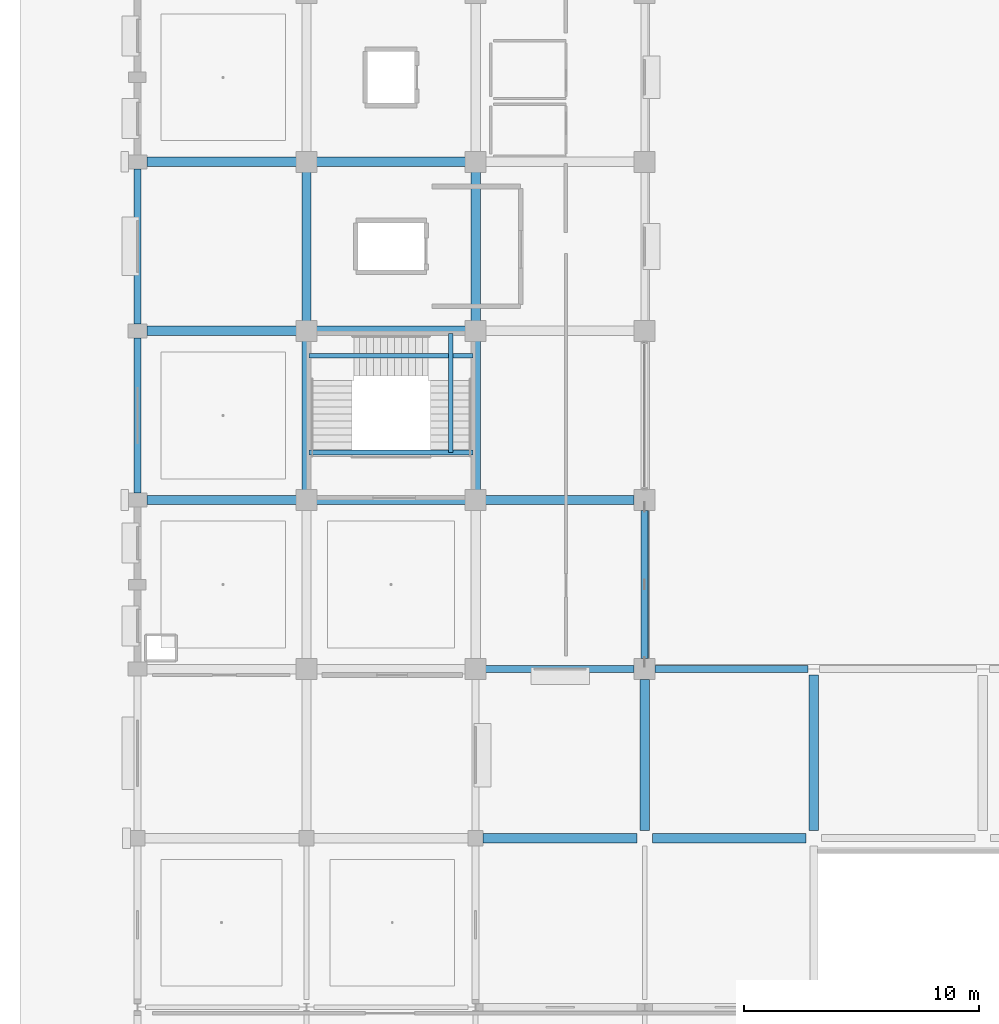
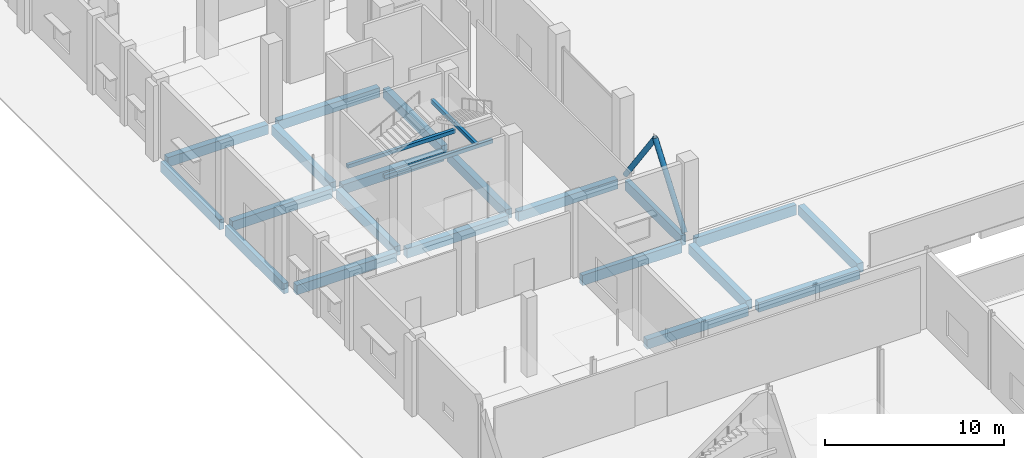
# One storey, part 10 of 90: 23 beams, 2 members.
"""IFC4 building model written with IfcOpenShell, lengths in metres."""

import ifcopenshell
import ifcopenshell.guid

model = None  # the IFC model being written
_history = None  # IfcOwnerHistory: only IFC2X3 demands one
_inside = {}  # id of a spatial element -> (the spatial element, [elements in it])
_under = {}  # id of a project, library or spatial element -> (it, [spatial elements below it])
_declared = {}  # id of a project -> (the project, [libraries it declares])
_typed = {}  # id of a type object -> (the type object, [elements of that type])
_made_of = {}  # id of a material, layer set ... -> (it, [elements and type objects made of it])


def new_model(schema):
    """Start an empty IFC model of exactly this schema.

    Asked for "IFC4X3", IfcOpenShell would pick the latest addendum, in which some entities
    have other attributes; the version numbers below select the first issue.
    IFC2X3 requires an IfcOwnerHistory on every rooted entity: one is made here for all.
    """
    global model, _history
    if schema == "IFC4X3":
        model = ifcopenshell.file(schema_version=(4, 3, 0, 0))
    else:
        model = ifcopenshell.file(schema=schema)
    _inside.clear()
    _under.clear()
    _declared.clear()
    _typed.clear()
    _made_of.clear()
    _history = None
    if model.schema == "IFC2X3":
        org = make("IfcOrganization", Name="unknown")
        user = make(
            "IfcPersonAndOrganization",
            ThePerson=make("IfcPerson", FamilyName="unknown"),
            TheOrganization=org,
        )
        app = make(
            "IfcApplication",
            ApplicationDeveloper=org,
            Version="unknown",
            ApplicationFullName="unknown",
            ApplicationIdentifier="unknown",
        )
        _history = make(
            "IfcOwnerHistory",
            OwningUser=user,
            OwningApplication=app,
            ChangeAction="ADDED",
            CreationDate=0,
        )
    return model


def make(cls, **values):
    """One entity of the class cls with the attributes given. An attribute that is None is left unset."""
    return model.create_entity(
        cls, **{name: value for name, value in values.items() if value is not None}
    )


def rooted(cls, **values):
    """An entity with a GlobalId (a new one), such as an element, a storey or a relation."""
    return make(cls, GlobalId=ifcopenshell.guid.new(), OwnerHistory=_history, **values)


def si_unit(unit_type, name, prefix=None):
    """IfcSIUnit, for example si_unit("LENGTHUNIT", "METRE", prefix="MILLI")."""
    return make("IfcSIUnit", UnitType=unit_type, Prefix=prefix, Name=name)


def assignment(units):
    """IfcUnitAssignment: the units of a project."""
    return None if units is None else make("IfcUnitAssignment", Units=units)


def point(xyz):
    """IfcCartesianPoint."""
    return None if xyz is None else make("IfcCartesianPoint", Coordinates=xyz)


def direction(xyz):
    """IfcDirection."""
    return None if xyz is None else make("IfcDirection", DirectionRatios=xyz)


def frame(location, z_axis=None, x_axis=None):
    """IfcAxis2Placement3D, a coordinate frame: its origin and axes. An axis left out is left unset."""
    return make(
        "IfcAxis2Placement3D",
        Location=point(location),
        Axis=direction(z_axis),
        RefDirection=direction(x_axis),
    )


def frame_2d(location, x_axis=None):
    """IfcAxis2Placement2D, a coordinate frame in the plane: its origin and x axis."""
    return make(
        "IfcAxis2Placement2D", Location=point(location), RefDirection=direction(x_axis)
    )


def origin():
    """The frame at (0, 0, 0) with its axes left unset."""
    return frame((0.0, 0.0, 0.0))


def origin_2d():
    """The frame at (0, 0) in the plane with its x axis left unset."""
    return frame_2d((0.0, 0.0))


def place(relative_to, where):
    """IfcLocalPlacement: puts the frame where relative to a parent placement (None: the world)."""
    return make(
        "IfcLocalPlacement", PlacementRelTo=relative_to, RelativePlacement=where
    )


def context(
    kind, dimensions, precision=None, world=None, true_north=None, identifier=None
):
    """IfcGeometricRepresentationContext, for example the 3D "Model" context."""
    return make(
        "IfcGeometricRepresentationContext",
        ContextIdentifier=identifier,
        ContextType=kind,
        CoordinateSpaceDimension=dimensions,
        Precision=precision,
        WorldCoordinateSystem=world,
        TrueNorth=true_north,
    )


def subcontext(parent, identifier, kind, view, scale=None):
    """IfcGeometricRepresentationSubContext, for example "Body" below "Model"."""
    return make(
        "IfcGeometricRepresentationSubContext",
        ContextIdentifier=identifier,
        ContextType=kind,
        ParentContext=parent,
        TargetScale=scale,
        TargetView=view,
    )


def project(units=None, contexts=None):
    """IfcProject with its units and contexts."""
    return rooted(
        "IfcProject",
        Name="project",
        RepresentationContexts=contexts,
        UnitsInContext=assignment(units),
    )


def spatial(cls, under=None, at=None, **own):
    """A site, building, storey or space (cls), placed at a placement, below another one or the project."""
    s = rooted(cls, ObjectPlacement=at, **own)
    if under is not None:
        _under.setdefault(under.id(), (under, []))[1].append(s)
    return s


def profile(cls, at=None, kind="AREA", **sizes):
    """A parametric profile (cls). Its sizes go by their IFC names, for example OverallWidth=200.0."""
    return make(cls, ProfileType=kind, Position=at, **sizes)


def rectangle(**sizes):
    """IfcRectangleProfileDef."""
    return profile("IfcRectangleProfileDef", **sizes)


def hollow_circle(**sizes):
    """IfcCircleHollowProfileDef."""
    return profile("IfcCircleHollowProfileDef", **sizes)


def extrude(swept, where, along, depth):
    """IfcExtrudedAreaSolid: the profile swept, set in the frame where, extruded along a direction by depth."""
    return make(
        "IfcExtrudedAreaSolid",
        SweptArea=swept,
        Position=where,
        ExtrudedDirection=direction(along),
        Depth=depth,
    )


def shape(context_of_items, identifier, shape_type, items):
    """IfcShapeRepresentation: the items that make up one representation, for example the "Body"."""
    return make(
        "IfcShapeRepresentation",
        ContextOfItems=context_of_items,
        RepresentationIdentifier=identifier,
        RepresentationType=shape_type,
        Items=items,
    )


def material(Name=None, Category=None):
    """IfcMaterial."""
    return make("IfcMaterial", Name=Name, Category=Category)


def material_profile(
    of_material, cross_section, Name=None, Category=None, Priority=None
):
    """IfcMaterialProfile: a cross section and its material."""
    return make(
        "IfcMaterialProfile",
        Name=Name,
        Material=of_material,
        Profile=cross_section,
        Priority=Priority,
        Category=Category,
    )


def profile_set(profiles, Name=None, composite=None):
    """IfcMaterialProfileSet."""
    return make(
        "IfcMaterialProfileSet",
        Name=Name,
        MaterialProfiles=profiles,
        CompositeProfile=composite,
    )


def made_of(thing, what):
    """Note that an element or type object is made of a material, layer set ...; save() writes the relation."""
    if what is not None:
        _made_of.setdefault(what.id(), (what, []))[1].append(thing)
    return thing


def type_object(cls, material=None, **own):
    """A type object (cls), such as IfcWallType, which elements share."""
    return made_of(rooted(cls, **own), material)


def element(
    cls,
    number,
    at=None,
    inside=None,
    cuts=None,
    type_object=None,
    material=None,
    context=None,
    identifier="Body",
    shape_type=None,
    held_by="IfcProductDefinitionShape",
    body=None,
    shapes=None,
    **own,
):
    """One element of the class cls, such as IfcWall. Its Tag is "e" and its number.

    at: its placement. inside: the storey or other place that contains it. cuts: it is an
    opening in that element (IfcRelVoidsElement). A single representation is given by context,
    identifier, shape_type and body (its items); several are given by shapes. held_by: the class
    of the entity that holds the representations. save() writes the other relations.
    """
    e = rooted(cls, Tag="e%d" % number, ObjectPlacement=at, **own)
    if body is not None:
        shapes = [shape(context, identifier, shape_type, body)]
    if shapes is not None:
        e.Representation = make(held_by, Representations=shapes)
    if inside is not None:
        _inside.setdefault(inside.id(), (inside, []))[1].append(e)
    if cuts is not None:
        rooted(
            "IfcRelVoidsElement", RelatingBuildingElement=cuts, RelatedOpeningElement=e
        )
    if type_object is not None:
        _typed.setdefault(type_object.id(), (type_object, []))[1].append(e)
    return made_of(e, material)


def aggregate(whole, parts):
    """IfcRelAggregates: a whole, such as a stair, and the parts it consists of."""
    return rooted("IfcRelAggregates", RelatingObject=whole, RelatedObjects=parts)


def save(model, path):
    """Write the relations noted so far, then the file.

    IfcRelAggregates (storeys below a building ...), IfcRelContainedInSpatialStructure (elements
    in a storey), IfcRelDefinesByType, IfcRelAssociatesMaterial and IfcRelDeclares: one each for
    every whole, place, type object, material and project.
    """
    for whole, parts in _under.values():
        aggregate(whole, parts)
    for where, things in _inside.values():
        rooted(
            "IfcRelContainedInSpatialStructure",
            RelatedElements=things,
            RelatingStructure=where,
        )
    for kind, things in _typed.values():
        rooted("IfcRelDefinesByType", RelatedObjects=things, RelatingType=kind)
    for what, things in _made_of.values():
        rooted("IfcRelAssociatesMaterial", RelatedObjects=things, RelatingMaterial=what)
    for by, libraries in _declared.values():
        rooted("IfcRelDeclares", RelatingContext=by, RelatedDefinitions=libraries)
    model.write(path)


model = new_model("IFC4")

# Units and contexts
model_context = context("Model", 3, precision=1e-05, world=origin(), true_north=direction((0.0, 1.0)))
body_context = subcontext(model_context, "Body", "Model", "MODEL_VIEW")
ifc_project = project(units=[si_unit("LENGTHUNIT", "METRE"), si_unit("AREAUNIT", "SQUARE_METRE"), si_unit("VOLUMEUNIT", "CUBIC_METRE"), si_unit("PLANEANGLEUNIT", "RADIAN"), si_unit("MASSUNIT", "GRAM", prefix="KILO")], contexts=[model_context])

# Site, building, storey
site_placement = place(None, origin())
site = spatial("IfcSite", under=ifc_project, at=site_placement, CompositionType="ELEMENT")
building_placement = place(site_placement, origin())
building = spatial("IfcBuilding", under=site, at=building_placement, Name="Kangsadwip Square Police Headquarters", CompositionType="ELEMENT")
storey_placement = place(building_placement, origin())
storey = spatial("IfcBuildingStorey", under=building, at=storey_placement, Name="L00", CompositionType="ELEMENT", Elevation=0.0)

# Beams
ifc_material_1 = material(Name="Concrete M35 (35 MPa)", Category="concrete")
ifc_material_profile_1 = material_profile(ifc_material_1, rectangle(XDim=0.39990234375, YDim=0.64990234375, at=origin_2d()), Name="RC BM 650X400")
ifc_profile_set_1 = profile_set([ifc_material_profile_1], Name="Concrete M35 (35 MPa)")
beam_type_1 = type_object("IfcBeamType", Name="RcBeam650x400", PredefinedType="BEAM", material=ifc_profile_set_1)
beam_1_placement = place(storey_placement, frame((14.72509765625, 28.800048828125, -0.574951171875), z_axis=(1.0, 0.0, 0.0), x_axis=(0.0, 1.0, 0.0)))
element("IfcBeam", 1, at=beam_1_placement, inside=storey, type_object=beam_type_1, Name="Beam BM-L00-X-02-04", PredefinedType="BEAM", context=body_context, shape_type="SweptSolid", body=[
    extrude(rectangle(XDim=0.39990234375, YDim=0.64990234375, at=origin_2d()), origin(), (0.0, 0.0, 1.0), 6.5498046875),
])
beam_2_placement = place(storey_placement, frame((21.925048828125, 28.800048828125, -0.574951171875), z_axis=(1.0, 0.0, 0.0), x_axis=(0.0, 1.0, 0.0)))
element("IfcBeam", 2, at=beam_2_placement, inside=storey, type_object=beam_type_1, Name="Beam BM-L00-X-03-04", PredefinedType="BEAM", context=body_context, shape_type="SweptSolid", body=[
    extrude(rectangle(XDim=0.39990234375, YDim=0.64990234375, at=origin_2d()), origin(), (0.0, 0.0, 1.0), 6.550048828125),
])
beam_3_placement = place(storey_placement, frame((21.60009765625, 29.125, -0.574951171875), z_axis=(0.0, 1.0, 0.0), x_axis=(-1.0, 0.0, 0.0)))
element("IfcBeam", 3, at=beam_3_placement, inside=storey, type_object=beam_type_1, Name="Beam BM-L00-Y-03-04", PredefinedType="BEAM", context=body_context, shape_type="SweptSolid", body=[
    extrude(rectangle(XDim=0.39990234375, YDim=0.64990234375, at=origin_2d()), origin(), (0.0, 0.0, 1.0), 6.425048828125),
])
beam_4_placement = place(storey_placement, frame((28.800048828125, 29.125, -0.574951171875), z_axis=(0.0, 1.0, 0.0), x_axis=(-1.0, 0.0, 0.0)))
element("IfcBeam", 4, at=beam_4_placement, inside=storey, type_object=beam_type_1, Name="Beam BM-L00-Y-04-04", PredefinedType="BEAM", context=body_context, shape_type="SweptSolid", body=[
    extrude(rectangle(XDim=0.39990234375, YDim=0.64990234375, at=origin_2d()), origin(), (0.0, 0.0, 1.0), 6.625),
])
beam_5_placement = place(storey_placement, frame((0.39990234375, 43.199951171875, -0.574951171875), z_axis=(1.0, 0.0, 0.0), x_axis=(0.0, 1.0, 0.0)))
element("IfcBeam", 5, at=beam_5_placement, inside=storey, type_object=beam_type_1, Name="Beam BM-L00-X-00-06", PredefinedType="BEAM", context=body_context, shape_type="SweptSolid", body=[
    extrude(rectangle(XDim=0.39990234375, YDim=0.64990234375, at=origin_2d()), origin(), (0.0, 0.0, 1.0), 6.47509765625),
])
beam_6_placement = place(storey_placement, frame((7.52490234375, 43.199951171875, -0.574951171875), z_axis=(1.0, 0.0, 0.0), x_axis=(0.0, 1.0, 0.0)))
element("IfcBeam", 6, at=beam_6_placement, inside=storey, type_object=beam_type_1, Name="Beam BM-L00-X-01-06", PredefinedType="BEAM", context=body_context, shape_type="SweptSolid", body=[
    extrude(rectangle(XDim=0.39990234375, YDim=0.64990234375, at=origin_2d()), origin(), (0.0, 0.0, 1.0), 6.550048828125),
])
beam_7_placement = place(storey_placement, frame((14.72509765625, 43.199951171875, -0.574951171875), z_axis=(1.0, 0.0, 0.0), x_axis=(0.0, 1.0, 0.0)))
element("IfcBeam", 7, at=beam_7_placement, inside=storey, type_object=beam_type_1, Name="Beam BM-L00-X-02-06", PredefinedType="BEAM", context=body_context, shape_type="SweptSolid", body=[
    extrude(rectangle(XDim=0.39990234375, YDim=0.64990234375, at=origin_2d()), origin(), (0.0, 0.0, 1.0), 6.4248046875),
])
beam_8_placement = place(storey_placement, frame((0.39990234375, 50.39990234375, -0.574951171875), z_axis=(1.0, 0.0, 0.0), x_axis=(0.0, 1.0, 0.0)))
element("IfcBeam", 8, at=beam_8_placement, inside=storey, type_object=beam_type_1, Name="Beam BM-L00-X-00-07", PredefinedType="BEAM", context=body_context, shape_type="SweptSolid", body=[
    extrude(rectangle(XDim=0.39990234375, YDim=0.64990234375, at=origin_2d()), origin(), (0.0, 0.0, 1.0), 6.47509765625),
])
beam_9_placement = place(storey_placement, frame((7.52490234375, 50.39990234375, -0.574951171875), z_axis=(1.0, 0.0, 0.0), x_axis=(0.0, 1.0, 0.0)))
element("IfcBeam", 9, at=beam_9_placement, inside=storey, type_object=beam_type_1, Name="Beam BM-L00-X-01-07", PredefinedType="BEAM", context=body_context, shape_type="SweptSolid", body=[
    extrude(rectangle(XDim=0.39990234375, YDim=0.64990234375, at=origin_2d()), origin(), (0.0, 0.0, 1.0), 6.550048828125),
])
beam_10_placement = place(storey_placement, frame((0.39990234375, 57.60009765625, -0.574951171875), z_axis=(1.0, 0.0, 0.0), x_axis=(0.0, 1.0, 0.0)))
element("IfcBeam", 10, at=beam_10_placement, inside=storey, type_object=beam_type_1, Name="Beam BM-L00-X-00-08", PredefinedType="BEAM", context=body_context, shape_type="SweptSolid", body=[
    extrude(rectangle(XDim=0.39990234375, YDim=0.64990234375, at=origin_2d()), origin(), (0.0, 0.0, 1.0), 6.47509765625),
])
for number, where, z_axis, x_axis, name in (
    (11, (7.52490234375, 57.60009765625, -0.574951171875), (1.0, 0.0, 0.0), (0.0, 1.0, 0.0), "Beam BM-L00-X-01-08"),
    (12, (7.199951171875, 43.52490234375, -0.574951171875), (0.0, 1.0, 0.0), (-1.0, 0.0, 0.0), "Beam BM-L00-Y-01-06"),
):
    element("IfcBeam", number, at=place(storey_placement, frame(where, z_axis=z_axis, x_axis=x_axis)), inside=storey, type_object=beam_type_1, Name=name, PredefinedType="BEAM", context=body_context, shape_type="SweptSolid", body=[
        extrude(rectangle(XDim=0.39990234375, YDim=0.64990234375, at=origin_2d()), origin(), (0.0, 0.0, 1.0), 6.550048828125),
    ])
beam_11_placement = place(storey_placement, frame((7.199951171875, 50.72509765625, -0.574951171875), z_axis=(0.0, 1.0, 0.0), x_axis=(-1.0, 0.0, 0.0)))
element("IfcBeam", 13, at=beam_11_placement, inside=storey, type_object=beam_type_1, Name="Beam BM-L00-Y-01-07", PredefinedType="BEAM", context=body_context, shape_type="SweptSolid", body=[
    extrude(rectangle(XDim=0.39990234375, YDim=0.64990234375, at=origin_2d()), origin(), (0.0, 0.0, 1.0), 6.5498046875),
])
beam_12_placement = place(storey_placement, frame((14.39990234375, 43.52490234375, -0.574951171875), z_axis=(0.0, 1.0, 0.0), x_axis=(-1.0, 0.0, 0.0)))
element("IfcBeam", 14, at=beam_12_placement, inside=storey, type_object=beam_type_1, Name="Beam BM-L00-Y-02-06", PredefinedType="BEAM", context=body_context, shape_type="SweptSolid", body=[
    extrude(rectangle(XDim=0.39990234375, YDim=0.64990234375, at=origin_2d()), origin(), (0.0, 0.0, 1.0), 6.550048828125),
])
beam_13_placement = place(storey_placement, frame((14.39990234375, 50.72509765625, -0.574951171875), z_axis=(0.0, 1.0, 0.0), x_axis=(-1.0, 0.0, 0.0)))
element("IfcBeam", 15, at=beam_13_placement, inside=storey, type_object=beam_type_1, Name="Beam BM-L00-Y-02-07", PredefinedType="BEAM", context=body_context, shape_type="SweptSolid", body=[
    extrude(rectangle(XDim=0.39990234375, YDim=0.64990234375, at=origin_2d()), origin(), (0.0, 0.0, 1.0), 6.5498046875),
])
ifc_material_2 = material(Name="Concrete M30 (30 MPa)", Category="concrete")
ifc_material_profile_2 = material_profile(ifc_material_2, rectangle(XDim=0.199951171875, YDim=0.25, at=origin_2d()), Name="RC LNT 250X200")
ifc_profile_set_2 = profile_set([ifc_material_profile_2], Name="Concrete M30 (30 MPa)")
beam_type_2 = type_object("IfcBeamType", Name="RcLintel250x200", PredefinedType="LINTEL", material=ifc_profile_set_2)
for number, where, z_axis, x_axis, name in (
    (16, (7.300048828125, 49.344970703125, 1.655029296875), (1.0, 0.0, 0.0), (0.0, 1.0, 0.0), "Stair Carriage and Landing Beam BM-ST-L00-003"),
    (17, (7.300048828125, 45.219970703125, 3.455078125), (1.0, 0.0, 0.0), (0.0, 1.0, 0.0), "Stair Carriage and Landing Beam BM-ST-L00-004"),
):
    element("IfcBeam", number, at=place(storey_placement, frame(where, z_axis=z_axis, x_axis=x_axis)), inside=storey, type_object=beam_type_2, Name=name, PredefinedType="BEAM", context=body_context, shape_type="SweptSolid", body=[
        extrude(rectangle(XDim=0.199951171875, YDim=0.25, at=origin_2d()), origin(), (0.0, 0.0, 1.0), 7.0),
    ])
beam_14_placement = place(storey_placement, frame((13.344970703125, 45.219970703125, 3.455078125), z_axis=(0.0, 1.0, 0.0), x_axis=(-1.0, 0.0, 0.0)))
element("IfcBeam", 18, at=beam_14_placement, inside=storey, type_object=beam_type_2, Name="Stair Carriage and Landing Beam BM-ST-L00-005", PredefinedType="BEAM", context=body_context, shape_type="SweptSolid", body=[
    extrude(rectangle(XDim=0.199951171875, YDim=0.25, at=origin_2d()), origin(), (0.0, 0.0, 1.0), 5.080078125),
])
ifc_material_3 = material(Name="Concrete M40 (40 MPa)", Category="concrete")
ifc_material_profile_3 = material_profile(ifc_material_3, rectangle(XDim=0.300048828125, YDim=0.699951171875, at=origin_2d()), Name="RC SPN 700X300")
ifc_profile_set_3 = profile_set([ifc_material_profile_3], Name="Concrete M40 (40 MPa)")
beam_type_3 = type_object("IfcBeamType", Name="RcSpandrel700x300", PredefinedType="SPANDREL", material=ifc_profile_set_3)
beam_15_placement = place(storey_placement, frame((14.72509765625, 36.0, -0.60009765625), z_axis=(1.0, 0.0, 0.0), x_axis=(0.0, 1.0, 0.0)))
element("IfcBeam", 19, at=beam_15_placement, inside=storey, type_object=beam_type_3, Name="Beam BM-L00-X-02-05", PredefinedType="SPANDREL", context=body_context, shape_type="SweptSolid", body=[
    extrude(rectangle(XDim=0.300048828125, YDim=0.699951171875, at=origin_2d()), origin(), (0.0, 0.0, 1.0), 6.4248046875),
])
beam_16_placement = place(storey_placement, frame((22.050048828125, 36.0, -0.60009765625), z_axis=(1.0, 0.0, 0.0), x_axis=(0.0, 1.0, 0.0)))
element("IfcBeam", 20, at=beam_16_placement, inside=storey, type_object=beam_type_3, Name="Beam BM-L00-X-03-05", PredefinedType="SPANDREL", context=body_context, shape_type="SweptSolid", body=[
    extrude(rectangle(XDim=0.300048828125, YDim=0.699951171875, at=origin_2d()), origin(), (0.0, 0.0, 1.0), 6.5),
])
for number, where, z_axis, x_axis, name in (
    (21, (0.0, 43.5, -0.60009765625), (0.0, 1.0, 0.0), (-1.0, 0.0, 0.0), "Beam BM-L00-Y-00-06"),
    (22, (0.0, 50.699951171875, -0.60009765625), (0.0, 1.0, 0.0), (-1.0, 0.0, 0.0), "Beam BM-L00-Y-00-07"),
):
    element("IfcBeam", number, at=place(storey_placement, frame(where, z_axis=z_axis, x_axis=x_axis)), inside=storey, type_object=beam_type_3, Name=name, PredefinedType="SPANDREL", context=body_context, shape_type="SweptSolid", body=[
        extrude(rectangle(XDim=0.300048828125, YDim=0.699951171875, at=origin_2d()), origin(), (0.0, 0.0, 1.0), 6.60009765625),
    ])
beam_17_placement = place(storey_placement, frame((21.60009765625, 36.449951171875, -0.60009765625), z_axis=(0.0, 1.0, 0.0), x_axis=(-1.0, 0.0, 0.0)))
element("IfcBeam", 23, at=beam_17_placement, inside=storey, type_object=beam_type_3, Name="Beam BM-L00-Y-03-05", PredefinedType="SPANDREL", context=body_context, shape_type="SweptSolid", body=[
    extrude(rectangle(XDim=0.300048828125, YDim=0.699951171875, at=origin_2d()), origin(), (0.0, 0.0, 1.0), 6.300048828125),
])

# Members
ifc_material_4 = material(Name="Structural steel IS 2062 E350 (Grade 350, 350 MPa)", Category="steel")
ifc_material_profile_4 = material_profile(ifc_material_4, hollow_circle(Radius=0.162109375, WallThickness=0.011962890625, at=origin_2d()), Name="CHS 324X12")
ifc_profile_set_4 = profile_set([ifc_material_profile_4], Name="Structural steel IS 2062 E350 (Grade 350, 350 MPa)")
member_type = type_object("IfcMemberType", Name="TrussBraceChs324", PredefinedType="BRACE", material=ifc_profile_set_4)
member_1_placement = place(storey_placement, frame((21.60009765625, 36.300048828125, 0.0), z_axis=(0.0, 0.594805472058, 0.803869672528), x_axis=(-1.0, 0.0, 0.0)))
element("IfcMember", 24, at=member_1_placement, inside=storey, type_object=member_type, Name="Truss Member MEM-L00-0270", PredefinedType="BRACE", context=body_context, shape_type="SweptSolid", body=[
    extrude(hollow_circle(Radius=0.162109375, WallThickness=0.011962890625, at=origin_2d()), origin(), (0.0, 0.0, 1.0), 5.548095703125),
])
member_2_placement = place(storey_placement, frame((21.60009765625, 42.89990234375, 0.0), z_axis=(0.0, -0.59477703511, 0.803890713036), x_axis=(1.0, 0.0, 0.0)))
element("IfcMember", 25, at=member_2_placement, inside=storey, type_object=member_type, Name="Truss Member MEM-L00-0271", PredefinedType="BRACE", context=body_context, shape_type="SweptSolid", body=[
    extrude(hollow_circle(Radius=0.162109375, WallThickness=0.011962890625, at=origin_2d()), origin(), (0.0, 0.0, 1.0), 5.5478515625),
])

save(model, "model.ifc")
